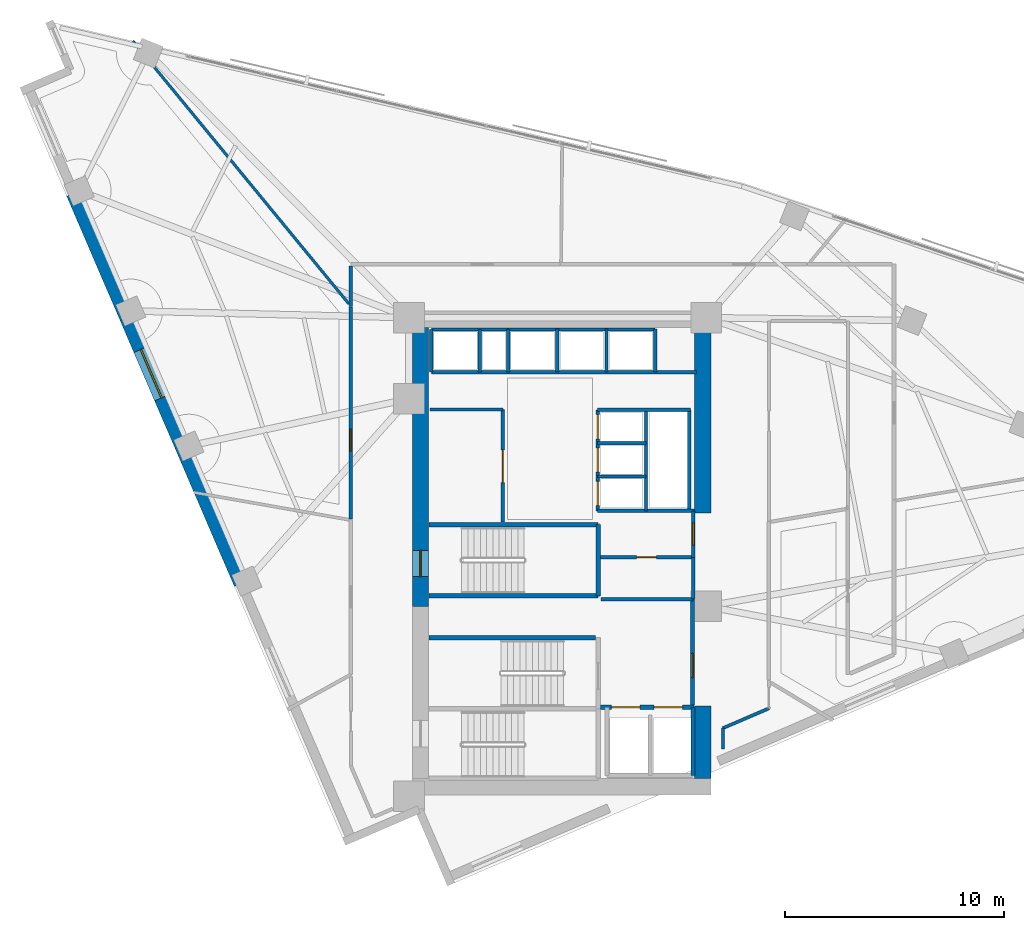
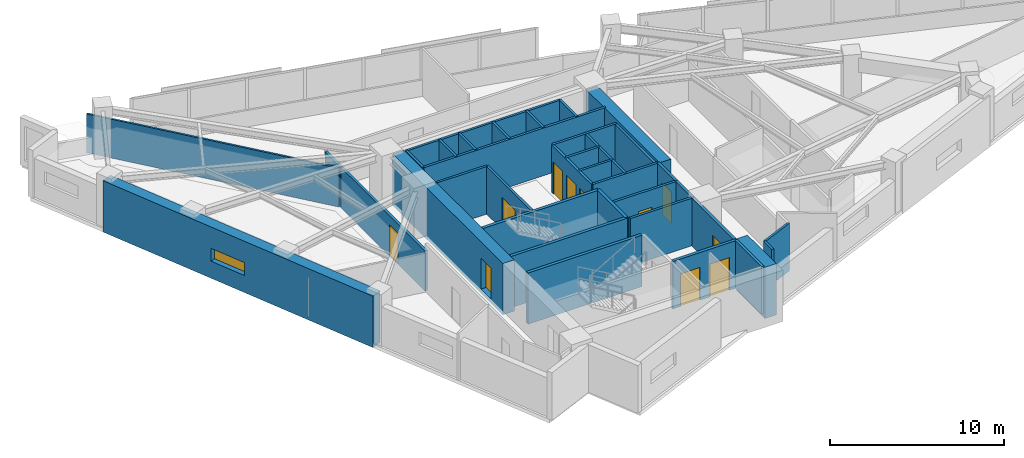
# One storey, part 9 of 14: 38 walls, 11 doors, 1 window, 12 openings.
"""IFC4 building model written with IfcOpenShell, lengths in metres."""

from ifc_helpers import new_model, si_unit, direction, frame, frame_2d, origin, place, context, subcontext, project, spatial, rectangle, extrude, material, layer, layer_set, type_object, element, fill, save


model = new_model("IFC4")

# Units and contexts
model_context = context("Model", 3, precision=1e-05, world=origin(), true_north=direction((0.0, 1.0)))
body_context = subcontext(model_context, "Body", "Model", "MODEL_VIEW")
ifc_project = project(units=[si_unit("LENGTHUNIT", "METRE"), si_unit("AREAUNIT", "SQUARE_METRE"), si_unit("VOLUMEUNIT", "CUBIC_METRE"), si_unit("PLANEANGLEUNIT", "RADIAN"), si_unit("MASSUNIT", "GRAM", prefix="KILO")], contexts=[model_context])

# Site, building, storey
site_placement = place(None, origin())
site = spatial("IfcSite", under=ifc_project, at=site_placement, CompositionType="ELEMENT")
building_placement = place(site_placement, origin())
building = spatial("IfcBuilding", under=site, at=building_placement, Name="Narakoshi Arena Tower", CompositionType="ELEMENT")
storey_placement = place(building_placement, frame((0.0, 0.0, 168.300048828125)))
storey = spatial("IfcBuildingStorey", under=building, at=storey_placement, Name="L45", CompositionType="ELEMENT", Elevation=168.300048828125)

# Wall
ifc_material_1 = material(Name="Concrete C50/60", Category="concrete")
ifc_layer_1 = layer(ifc_material_1, 0.75)
ifc_layer_set_1 = layer_set([ifc_layer_1], Name="Concrete C50/60")
wall_type_1 = type_object("IfcWallType", Name="WL-CORE-750", PredefinedType="SHEAR", material=ifc_layer_set_1)
wall_1_placement = place(storey_placement, frame((85.375, 35.5, -0.260009765625), z_axis=(0.0, 0.0, 1.0), x_axis=(0.0, 1.0, 0.0)))
element("IfcWall", 1, at=wall_1_placement, inside=storey, type_object=wall_type_1, Name="L45 Central Core Shear Wall CW-APX-E", PredefinedType="SHEAR", context=body_context, shape_type="SweptSolid", body=[
    extrude(rectangle(XDim=3.300048828125, YDim=0.75, at=frame_2d((1.64990234375, 0.0))), origin(), (0.0, 0.0, 1.0), 3.599853515625),
])

# Wall, opening, door
wall_2_placement = place(storey_placement, frame((72.52490234375, 43.35009765625, -0.260009765625), z_axis=(0.0, 0.0, 1.0), x_axis=(0.0, 1.0, 0.0)))
wall_2 = element("IfcWall", 2, at=wall_2_placement, inside=storey, type_object=wall_type_1, Name="L45 Main Core Shear Wall CW-MN-W", PredefinedType="SHEAR", context=body_context, shape_type="SweptSolid", body=[
    extrude(rectangle(XDim=12.699951171875, YDim=0.75, at=frame_2d((6.35009765625, 0.0))), origin(), (0.0, 0.0, 1.0), 3.599853515625),
])
opening_1_placement = place(wall_2_placement, frame((1.35009765625, 0.0, 0.260009765625)))
opening_1 = element("IfcOpeningElement", 3, at=opening_1_placement, cuts=wall_2, Name="Opening D-03", PredefinedType="OPENING", context=body_context, shape_type="SweptSolid", body=[
    extrude(rectangle(XDim=1.199951171875, YDim=2.199951171875, at=frame_2d((0.60009765625, 1.10009765625))), frame((0.0, 0.385009765625, 0.0), z_axis=(0.0, -1.0, 0.0), x_axis=(1.0, 0.0, 0.0)), (0.0, 0.0, 1.0), 0.77001953125),
])
ifc_material_2 = material(Name="Painted galvanized steel", Category="steel")
door_type_1 = type_object("IfcDoorType", Name="DR-STR-1200", OperationType="NOTDEFINED", PredefinedType="USERDEFINED", material=ifc_material_2)
door_1_placement = place(opening_1_placement, frame((1.199951171875, 0.0, 0.0), z_axis=(0.0, 0.0, 1.0), x_axis=(-1.0, 0.0, 0.0)))
door_1 = element("IfcDoor", 4, at=door_1_placement, inside=storey, type_object=door_type_1, Name="DR-L45-006", ObjectType="EXITDOOR", OperationType="SINGLE_SWING_LEFT", OverallHeight=2.199951171875, OverallWidth=1.199951171875, PredefinedType="USERDEFINED", context=body_context, shape_type="SweptSolid", body=[
    extrude(rectangle(XDim=1.199951171875, YDim=2.199951171875, at=frame_2d((0.60009765625, 1.10009765625))), frame((0.0, 0.02490234375, 0.0), z_axis=(0.0, -1.0, 0.0), x_axis=(1.0, 0.0, 0.0)), (0.0, 0.0, 1.0), 0.050048828125),
])
fill(opening_1, door_1)

# Wall
wall_3_placement = place(storey_placement, frame((85.375, 47.60009765625, -0.260009765625), z_axis=(0.0, 0.0, 1.0), x_axis=(0.0, 1.0, 0.0)))
element("IfcWall", 5, at=wall_3_placement, inside=storey, type_object=wall_type_1, Name="L45 Main Core Shear Wall CW-MN-E", PredefinedType="SHEAR", context=body_context, shape_type="SweptSolid", body=[
    extrude(rectangle(XDim=8.449951171875, YDim=0.75, at=frame_2d((4.22509765625, 0.0))), origin(), (0.0, 0.0, 1.0), 3.599853515625),
])

# Wall, opening, door
ifc_material_3 = material(Name="Gypsum plasterboard fire-rated partition")
ifc_layer_2 = layer(ifc_material_3, 0.1650390625)
ifc_layer_set_2 = layer_set([ifc_layer_2], Name="Gypsum plasterboard fire-rated partition")
wall_type_2 = type_object("IfcWallType", Name="WL-CORR-165", PredefinedType="PARTITIONING", material=ifc_layer_set_2)
wall_4_placement = place(storey_placement, frame((84.949951171875, 45.580078125, 0.0), z_axis=(0.0, 0.0, 1.0), x_axis=(0.0, 1.0, 0.0)))
wall_4 = element("IfcWall", 6, at=wall_4_placement, inside=storey, type_object=wall_type_2, Name="L45 Core Wall CPAS-E", PredefinedType="PARTITIONING", context=body_context, shape_type="SweptSolid", body=[
    extrude(rectangle(XDim=2.119873046875, YDim=0.1650390625, at=frame_2d((1.06005859375, 0.0))), origin(), (0.0, 0.0, 1.0), 3.33984375),
])
opening_2_placement = place(wall_4_placement, frame((0.56005859375, 0.0, 0.0)))
opening_2 = element("IfcOpeningElement", 7, at=opening_2_placement, cuts=wall_4, Name="Opening D-06", PredefinedType="OPENING", context=body_context, shape_type="SweptSolid", body=[
    extrude(rectangle(XDim=1.0, YDim=2.199951171875, at=frame_2d((0.5, 1.10009765625))), frame((0.0, 0.092529296875, 0.0), z_axis=(0.0, -1.0, 0.0), x_axis=(1.0, 0.0, 0.0)), (0.0, 0.0, 1.0), 0.18505859375),
])
ifc_material_4 = material(Name="Stained oak solid-core timber", Category="wood")
door_type_2 = type_object("IfcDoorType", Name="DR-OFF-1000", OperationType="NOTDEFINED", PredefinedType="DOOR", material=ifc_material_4)
door_2_placement = place(opening_2_placement, frame((1.0, 0.0, 0.0), z_axis=(0.0, 0.0, 1.0), x_axis=(-1.0, 0.0, 0.0)))
door_2 = element("IfcDoor", 8, at=door_2_placement, inside=storey, type_object=door_type_2, Name="DR-L45-007", OperationType="SINGLE_SWING_LEFT", OverallHeight=2.199951171875, OverallWidth=1.0, PredefinedType="DOOR", context=body_context, shape_type="SweptSolid", body=[
    extrude(rectangle(XDim=1.0, YDim=2.199951171875, at=frame_2d((0.5, 1.10009765625))), frame((0.0, 0.02490234375, 0.0), z_axis=(0.0, -1.0, 0.0), x_axis=(1.0, 0.0, 0.0)), (0.0, 0.0, 1.0), 0.050048828125),
])
fill(opening_2, door_2)

# Wall
wall_5_placement = place(storey_placement, frame((69.353759765625, 58.842529296875, 0.0), z_axis=(0.0, 0.0, 1.0), x_axis=(0.0, -1.0, 0.0)))
element("IfcWall", 9, at=wall_5_placement, inside=storey, type_object=wall_type_2, Name="L45 Corridor Partition 08-2", PredefinedType="PARTITIONING", context=body_context, shape_type="SweptSolid", body=[
    extrude(rectangle(XDim=1.825439453125, YDim=0.1650390625, at=frame_2d((0.91259765625, 0.0))), origin(), (0.0, 0.0, 1.0), 2.824951171875),
])

# Wall, opening, door
wall_6_placement = place(storey_placement, frame((69.353759765625, 56.9794921875, 0.0), z_axis=(0.0, 0.0, 1.0), x_axis=(0.0, -1.0, 0.0)))
wall_6 = element("IfcWall", 10, at=wall_6_placement, inside=storey, type_object=wall_type_2, Name="L45 Corridor Partition 09-1", PredefinedType="PARTITIONING", context=body_context, shape_type="SweptSolid", body=[
    extrude(rectangle(XDim=9.64208984375, YDim=0.1650390625, at=frame_2d((4.821044921875, 0.0))), origin(), (0.0, 0.0, 1.0), 2.824951171875),
])
opening_3_placement = place(wall_6_placement, frame((5.557373046875, 0.0, 0.0)))
opening_3 = element("IfcOpeningElement", 11, at=opening_3_placement, cuts=wall_6, Name="Opening D-06", PredefinedType="OPENING", context=body_context, shape_type="SweptSolid", body=[
    extrude(rectangle(XDim=1.0, YDim=2.199951171875, at=frame_2d((0.5, 1.10009765625))), frame((0.0, 0.092529296875, 0.0), z_axis=(0.0, -1.0, 0.0), x_axis=(1.0, 0.0, 0.0)), (0.0, 0.0, 1.0), 0.18505859375),
])
door_3_placement = place(opening_3_placement, frame((1.0, 0.0, 0.0), z_axis=(0.0, 0.0, 1.0), x_axis=(-1.0, 0.0, 0.0)))
door_3 = element("IfcDoor", 12, at=door_3_placement, inside=storey, type_object=door_type_2, Name="DR-L45-021", OperationType="SINGLE_SWING_LEFT", OverallHeight=2.199951171875, OverallWidth=1.0, PredefinedType="DOOR", context=body_context, shape_type="SweptSolid", body=[
    extrude(rectangle(XDim=1.0, YDim=2.199951171875, at=frame_2d((0.5, 1.10009765625))), frame((0.0, 0.02490234375, 0.0), z_axis=(0.0, -1.0, 0.0), x_axis=(1.0, 0.0, 0.0)), (0.0, 0.0, 1.0), 0.050048828125),
])
fill(opening_3, door_3)

# Wall, opening, window
ifc_material_5 = material(Name="Concrete C60/75", Category="concrete")
ifc_layer_3 = layer(ifc_material_5, 0.699951171875)
ifc_layer_set_3 = layer_set([ifc_layer_3], Name="Concrete C60/75")
wall_type_3 = type_object("IfcWallType", Name="WL-LEG-700", PredefinedType="SHEAR", material=ifc_layer_set_3)
wall_7_placement = place(storey_placement, frame((56.7275390625, 62.171875, -0.260009765625), z_axis=(0.0, 0.0, 1.0), x_axis=(0.394736752992, -0.918794261974, 0.0)))
wall_7 = element("IfcWall", 13, at=wall_7_placement, inside=storey, type_object=wall_type_3, Name="L45 Architectural Concrete Structural Wall LEGB-2", PredefinedType="SHEAR", context=body_context, shape_type="SweptSolid", body=[
    extrude(rectangle(XDim=19.3525390625, YDim=0.699951171875, at=frame_2d((9.67626953125, 0.0))), origin(), (0.0, 0.0, 1.0), 3.599853515625),
])
opening_4_placement = place(wall_7_placement, frame((7.747314453125, 0.0, 1.199951171875)))
opening_4 = element("IfcOpeningElement", 14, at=opening_4_placement, cuts=wall_7, Name="Opening WN-01", PredefinedType="OPENING", context=body_context, shape_type="SweptSolid", body=[
    extrude(rectangle(XDim=2.39990234375, YDim=0.89990234375, at=frame_2d((1.199951171875, 0.449951171875))), frame((0.0, 0.35986328125, 0.0), z_axis=(0.0, -1.0, 0.0), x_axis=(1.0, 0.0, 0.0)), (0.0, 0.0, 1.0), 0.719970703125),
])
ifc_material_6 = material(Name="Bronze-tinted low-E laminated glass", Category="glass")
window_type = type_object("IfcWindowType", Name="WIN-SLT-24x09", PartitioningType="SINGLE_PANEL", PredefinedType="WINDOW", material=ifc_material_6)
window_placement = place(opening_4_placement, origin())
window = element("IfcWindow", 15, at=window_placement, inside=storey, type_object=window_type, Name="L45 LEGB2 Horizontal Slot Window 1", OverallHeight=0.89990234375, OverallWidth=2.39990234375, PartitioningType="SINGLE_PANEL", PredefinedType="WINDOW", context=body_context, shape_type="SweptSolid", body=[
    extrude(rectangle(XDim=2.39990234375, YDim=0.89990234375, at=frame_2d((1.199951171875, 0.449951171875))), frame((0.0, 0.030029296875, 0.0), z_axis=(0.0, -1.0, 0.0), x_axis=(1.0, 0.0, 0.0)), (0.0, 0.0, 1.0), 0.06005859375),
])
fill(opening_4, window)

# Walls
ifc_layer_4 = layer(ifc_material_3, 0.125)
ifc_layer_set_4 = layer_set([ifc_layer_4], Name="Gypsum plasterboard fire-rated partition")
wall_type_4 = type_object("IfcWallType", Name="WL-PART-125", PredefinedType="PARTITIONING", material=ifc_layer_set_4)
wall_8_placement = place(storey_placement, frame((69.25927734375, 57.132080078125, 0.0), z_axis=(0.0, 0.0, 1.0), x_axis=(-0.634968166621, 0.77253830156, 0.0)))
element("IfcWall", 16, at=wall_8_placement, inside=storey, type_object=wall_type_4, Name="L45 Inter-Room Partition 08-09", PredefinedType="PARTITIONING", context=body_context, shape_type="SweptSolid", body=[
    extrude(rectangle(XDim=15.498046875, YDim=0.125, at=frame_2d((7.7490234375, 0.0))), origin(), (0.0, 0.0, 1.0), 2.724853515625),
])
ifc_material_7 = material(Name="Concrete C40/50", Category="concrete")
ifc_layer_5 = layer(ifc_material_7, 0.280029296875)
ifc_layer_set_5 = layer_set([ifc_layer_5], Name="Concrete C40/50")
wall_type_5 = type_object("IfcWallType", Name="WL-RISER-280", PredefinedType="PLUMBINGWALL", material=ifc_layer_set_5)
wall_9_placement = place(storey_placement, frame((84.949951171875, 43.679931640625, 0.0), z_axis=(0.0, 0.0, 1.0), x_axis=(0.0, 1.0, 0.0)))
element("IfcWall", 17, at=wall_9_placement, inside=storey, type_object=wall_type_5, Name="L45 Core Wall RSR-E", PredefinedType="PLUMBINGWALL", context=body_context, shape_type="SweptSolid", body=[
    extrude(rectangle(XDim=1.900146484375, YDim=0.1650390625, at=frame_2d((0.9501953125, 0.0))), origin(), (0.0, 0.0, 1.0), 3.33984375),
])

# Wall, opening, door
wall_10_placement = place(storey_placement, frame((80.719970703125, 45.580078125, 0.0), z_axis=(0.0, 0.0, 1.0), x_axis=(1.0, 0.0, 0.0)))
wall_10 = element("IfcWall", 18, at=wall_10_placement, inside=storey, type_object=wall_type_5, Name="L45 Core Wall RSR-N", PredefinedType="PLUMBINGWALL", context=body_context, shape_type="SweptSolid", body=[
    extrude(rectangle(XDim=4.22998046875, YDim=0.159912109375, at=frame_2d((2.114990234375, 0.0))), origin(), (0.0, 0.0, 1.0), 3.33984375),
])
opening_5_placement = place(wall_10_placement, frame((1.64990234375, 0.0, 0.0)))
opening_5 = element("IfcOpeningElement", 19, at=opening_5_placement, cuts=wall_10, Name="Opening D-08", PredefinedType="OPENING", context=body_context, shape_type="SweptSolid", body=[
    extrude(rectangle(XDim=0.89990234375, YDim=2.10009765625, at=frame_2d((0.449951171875, 1.050048828125))), frame((0.0, 0.08984375, 0.0), z_axis=(0.0, -1.0, 0.0), x_axis=(1.0, 0.0, 0.0)), (0.0, 0.0, 1.0), 0.179931640625),
])
ifc_material_8 = material(Name="Moisture-resistant laminate timber", Category="wood")
door_type_3 = type_object("IfcDoorType", Name="DR-WC-900", OperationType="NOTDEFINED", PredefinedType="DOOR", material=ifc_material_8)
door_4_placement = place(opening_5_placement, frame((0.89990234375, 0.0, 0.0), z_axis=(0.0, 0.0, 1.0), x_axis=(-1.0, 0.0, 0.0)))
door_4 = element("IfcDoor", 20, at=door_4_placement, inside=storey, type_object=door_type_3, Name="DR-L45-008", OperationType="SINGLE_SWING_LEFT", OverallHeight=2.10009765625, OverallWidth=0.89990234375, PredefinedType="DOOR", context=body_context, shape_type="SweptSolid", body=[
    extrude(rectangle(XDim=0.89990234375, YDim=2.10009765625, at=frame_2d((0.449951171875, 1.050048828125))), frame((0.0, 0.02490234375, 0.0), z_axis=(0.0, -1.0, 0.0), x_axis=(1.0, 0.0, 0.0)), (0.0, 0.0, 1.0), 0.050048828125),
])
fill(opening_5, door_4)

# Walls
wall_11_placement = place(storey_placement, frame((80.760009765625, 43.679931640625, 0.0), z_axis=(0.0, 0.0, 1.0), x_axis=(1.0, 0.0, 0.0)))
element("IfcWall", 21, at=wall_11_placement, inside=storey, type_object=wall_type_5, Name="L45 Core Wall RSR-S", PredefinedType="PLUMBINGWALL", context=body_context, shape_type="SweptSolid", body=[
    extrude(rectangle(XDim=4.18994140625, YDim=0.159912109375, at=frame_2d((2.094970703125, 0.0))), origin(), (0.0, 0.0, 1.0), 3.33984375),
])
for number, where, z_axis, x_axis, name in (
    (22, (80.60009765625, 49.260009765625, 0.0), (0.0, 0.0, 1.0), (1.0, 0.0, 0.0), "L45 Core Wall MR-D1"),
    (23, (80.60009765625, 50.780029296875, 0.0), (0.0, 0.0, 1.0), (1.0, 0.0, 0.0), "L45 Core Wall MR-D2"),
):
    element("IfcWall", number, at=place(storey_placement, frame(where, z_axis=z_axis, x_axis=x_axis)), inside=storey, type_object=wall_type_5, Name=name, PredefinedType="PLUMBINGWALL", context=body_context, shape_type="SweptSolid", body=[
        extrude(rectangle(XDim=2.199951171875, YDim=0.14990234375, at=frame_2d((1.10009765625, 0.0))), origin(), (0.0, 0.0, 1.0), 3.33984375),
    ])
wall_12_placement = place(storey_placement, frame((82.800048828125, 47.699951171875, 0.0), z_axis=(0.0, 0.0, 1.0), x_axis=(0.0, 1.0, 0.0)))
element("IfcWall", 24, at=wall_12_placement, inside=storey, type_object=wall_type_5, Name="L45 Core Wall MR-E", PredefinedType="PLUMBINGWALL", context=body_context, shape_type="SweptSolid", body=[
    extrude(rectangle(XDim=4.60009765625, YDim=0.14990234375, at=frame_2d((2.300048828125, 0.0))), origin(), (0.0, 0.0, 1.0), 3.33984375),
])
for number, where, z_axis, x_axis, name in (
    (25, (73.02001953125, 54.02001953125, 0.0), (0.0, 0.0, 1.0), (0.0, 1.0, 0.0), "L45 Core Wall OBS-W"),
    (26, (75.219970703125, 54.02001953125, 0.0), (0.0, 0.0, 1.0), (0.0, 1.0, 0.0), "L45 Core Wall OBS-M"),
):
    element("IfcWall", number, at=place(storey_placement, frame(where, z_axis=z_axis, x_axis=x_axis)), inside=storey, type_object=wall_type_5, Name=name, PredefinedType="PLUMBINGWALL", context=body_context, shape_type="SweptSolid", body=[
        extrude(rectangle(XDim=1.93994140625, YDim=0.14990234375, at=frame_2d((0.969970703125, 0.0))), origin(), (0.0, 0.0, 1.0), 3.33984375),
    ])
for number, where, z_axis, x_axis, name in (
    (27, (78.75, 54.02001953125, 0.0), (0.0, 0.0, 1.0), (0.0, 1.0, 0.0), "L45 Core Wall HR-D1"),
    (28, (81.0, 54.02001953125, 0.0), (0.0, 0.0, 1.0), (0.0, 1.0, 0.0), "L45 Core Wall HR-D2"),
):
    element("IfcWall", number, at=place(storey_placement, frame(where, z_axis=z_axis, x_axis=x_axis)), inside=storey, type_object=wall_type_5, Name=name, PredefinedType="PLUMBINGWALL", context=body_context, shape_type="SweptSolid", body=[
        extrude(rectangle(XDim=1.9599609375, YDim=0.14990234375, at=frame_2d((0.97998046875, 0.0))), origin(), (0.0, 0.0, 1.0), 3.33984375),
    ])

# Wall, openings, doors
ifc_layer_6 = layer(ifc_material_1, 0.35009765625)
ifc_layer_set_6 = layer_set([ifc_layer_6], Name="Concrete C50/60")
wall_type_6 = type_object("IfcWallType", Name="WL-SHAFT-350", PredefinedType="SOLIDWALL", material=ifc_layer_set_6)
wall_13_placement = place(storey_placement, frame((80.719970703125, 38.75, 0.0), z_axis=(0.0, 0.0, 1.0), x_axis=(1.0, 0.0, 0.0)))
wall_13 = element("IfcWall", 29, at=wall_13_placement, inside=storey, type_object=wall_type_6, Name="L45 Core Wall FF-N", PredefinedType="SOLIDWALL", context=body_context, shape_type="SweptSolid", body=[
    extrude(rectangle(XDim=4.260009765625, YDim=0.199951171875, at=frame_2d((2.1298828125, 0.0))), origin(), (0.0, 0.0, 1.0), 3.33984375),
])
opening_6_placement = place(wall_13_placement, frame((0.5, 0.0, 0.0)))
opening_6 = element("IfcOpeningElement", 30, at=opening_6_placement, cuts=wall_13, Name="Opening LD-02", PredefinedType="OPENING", context=body_context, shape_type="SweptSolid", body=[
    extrude(rectangle(XDim=1.300048828125, YDim=2.300048828125, at=frame_2d((0.64990234375, 1.14990234375))), frame((0.0, 0.10986328125, 0.0), z_axis=(0.0, -1.0, 0.0), x_axis=(1.0, 0.0, 0.0)), (0.0, 0.0, 1.0), 0.219970703125),
])
opening_7_placement = place(wall_13_placement, frame((2.449951171875, 0.0, 0.0)))
opening_7 = element("IfcOpeningElement", 31, at=opening_7_placement, cuts=wall_13, Name="Opening LD-02", PredefinedType="OPENING", context=body_context, shape_type="SweptSolid", body=[
    extrude(rectangle(XDim=1.300048828125, YDim=2.300048828125, at=frame_2d((0.64990234375, 1.14990234375))), frame((0.0, 0.10986328125, 0.0), z_axis=(0.0, -1.0, 0.0), x_axis=(1.0, 0.0, 0.0)), (0.0, 0.0, 1.0), 0.219970703125),
])
ifc_material_9 = material(Name="Brushed bronze stainless steel", Category="steel")
door_type_4 = type_object("IfcDoorType", Name="DR-LFT-1300", OperationType="DOUBLE_DOOR_SLIDING", PredefinedType="DOOR", material=ifc_material_9)
door_5_placement = place(opening_6_placement, origin())
door_5 = element("IfcDoor", 32, at=door_5_placement, inside=storey, type_object=door_type_4, Name="DR-L45-003", OperationType="DOUBLE_DOOR_SLIDING", OverallHeight=2.300048828125, OverallWidth=1.300048828125, PredefinedType="DOOR", context=body_context, shape_type="SweptSolid", body=[
    extrude(rectangle(XDim=1.300048828125, YDim=2.300048828125, at=frame_2d((0.64990234375, 1.14990234375))), frame((0.0, 0.02490234375, 0.0), z_axis=(0.0, -1.0, 0.0), x_axis=(1.0, 0.0, 0.0)), (0.0, 0.0, 1.0), 0.050048828125),
])
fill(opening_6, door_5)
door_6_placement = place(opening_7_placement, origin())
door_6 = element("IfcDoor", 33, at=door_6_placement, inside=storey, type_object=door_type_4, Name="DR-L45-004", OperationType="DOUBLE_DOOR_SLIDING", OverallHeight=2.300048828125, OverallWidth=1.300048828125, PredefinedType="DOOR", context=body_context, shape_type="SweptSolid", body=[
    extrude(rectangle(XDim=1.300048828125, YDim=2.300048828125, at=frame_2d((0.64990234375, 1.14990234375))), frame((0.0, 0.02490234375, 0.0), z_axis=(0.0, -1.0, 0.0), x_axis=(1.0, 0.0, 0.0)), (0.0, 0.0, 1.0), 0.050048828125),
])
fill(opening_7, door_6)

# Wall
wall_14_placement = place(storey_placement, frame((84.949951171875, 35.64990234375, 0.0), z_axis=(0.0, 0.0, 1.0), x_axis=(0.0, 1.0, 0.0)))
element("IfcWall", 34, at=wall_14_placement, inside=storey, type_object=wall_type_6, Name="L45 Core Wall FF-E", PredefinedType="SOLIDWALL", context=body_context, shape_type="SweptSolid", body=[
    extrude(rectangle(XDim=3.10009765625, YDim=0.179931640625, at=frame_2d((1.550048828125, 0.0))), origin(), (0.0, 0.0, 1.0), 3.33984375),
])

# Wall, opening, door
wall_15_placement = place(storey_placement, frame((84.919921875, 38.85009765625, 0.0), z_axis=(0.0, 0.0, 1.0), x_axis=(0.0, 1.0, 0.0)))
wall_15 = element("IfcWall", 35, at=wall_15_placement, inside=storey, type_object=wall_type_6, Name="L45 Core Wall FFLOB-E", PredefinedType="SOLIDWALL", context=body_context, shape_type="SweptSolid", body=[
    extrude(rectangle(XDim=4.829833984375, YDim=0.199951171875, at=frame_2d((2.4150390625, 0.0))), origin(), (0.0, 0.0, 1.0), 3.33984375),
])
opening_8_placement = place(wall_15_placement, frame((1.25, 0.0, 0.0)))
opening_8 = element("IfcOpeningElement", 36, at=opening_8_placement, cuts=wall_15, Name="Opening D-04", PredefinedType="OPENING", context=body_context, shape_type="SweptSolid", body=[
    extrude(rectangle(XDim=1.10009765625, YDim=2.199951171875, at=frame_2d((0.550048828125, 1.10009765625))), frame((0.0, 0.10986328125, 0.0), z_axis=(0.0, -1.0, 0.0), x_axis=(1.0, 0.0, 0.0)), (0.0, 0.0, 1.0), 0.219970703125),
])
door_type_5 = type_object("IfcDoorType", Name="DR-FFL-1100", OperationType="NOTDEFINED", PredefinedType="DOOR", material=ifc_material_2)
door_7_placement = place(opening_8_placement, frame((1.10009765625, 0.0, 0.0), z_axis=(0.0, 0.0, 1.0), x_axis=(-1.0, 0.0, 0.0)))
door_7 = element("IfcDoor", 37, at=door_7_placement, inside=storey, type_object=door_type_5, Name="DR-L45-005", OperationType="SINGLE_SWING_RIGHT", OverallHeight=2.199951171875, OverallWidth=1.10009765625, PredefinedType="DOOR", context=body_context, shape_type="SweptSolid", body=[
    extrude(rectangle(XDim=1.10009765625, YDim=2.199951171875, at=frame_2d((0.550048828125, 1.10009765625))), frame((0.0, 0.02490234375, 0.0), z_axis=(0.0, -1.0, 0.0), x_axis=(1.0, 0.0, 0.0)), (0.0, 0.0, 1.0), 0.050048828125),
])
fill(opening_8, door_7)

# Walls
wall_16_placement = place(storey_placement, frame((72.919921875, 41.919921875, -0.260009765625), z_axis=(0.0, 0.0, 1.0), x_axis=(1.0, 0.0, 0.0)))
element("IfcWall", 38, at=wall_16_placement, inside=storey, type_object=wall_type_6, Name="L45 Core Wall ST2-N", PredefinedType="SOLIDWALL", context=body_context, shape_type="SweptSolid", body=[
    extrude(rectangle(XDim=7.580078125, YDim=0.199951171875, at=frame_2d((3.7900390625, 0.0))), origin(), (0.0, 0.0, 1.0), 3.599853515625),
])
for number, where, z_axis, x_axis, name in (
    (39, (72.919921875, 43.830078125, -0.260009765625), (0.0, 0.0, 1.0), (1.0, 0.0, 0.0), "L45 Core Wall ST3-S"),
    (40, (72.919921875, 47.070068359375, -0.260009765625), (0.0, 0.0, 1.0), (1.0, 0.0, 0.0), "L45 Core Wall ST3-N"),
):
    element("IfcWall", number, at=place(storey_placement, frame(where, z_axis=z_axis, x_axis=x_axis)), inside=storey, type_object=wall_type_6, Name=name, PredefinedType="SOLIDWALL", context=body_context, shape_type="SweptSolid", body=[
        extrude(rectangle(XDim=7.7001953125, YDim=0.199951171875, at=frame_2d((3.85009765625, 0.0))), origin(), (0.0, 0.0, 1.0), 3.599853515625),
    ])
wall_17_placement = place(storey_placement, frame((80.6201171875, 43.830078125, -0.260009765625), z_axis=(0.0, 0.0, 1.0), x_axis=(0.0, 1.0, 0.0)))
element("IfcWall", 41, at=wall_17_placement, inside=storey, type_object=wall_type_6, Name="L45 Core Wall ST3-E", PredefinedType="SOLIDWALL", context=body_context, shape_type="SweptSolid", body=[
    extrude(rectangle(XDim=3.239990234375, YDim=0.199951171875, at=frame_2d((1.6201171875, 0.0))), origin(), (0.0, 0.0, 1.0), 3.599853515625),
])

# Wall, opening, door
wall_18_placement = place(storey_placement, frame((76.280029296875, 47.179931640625, 0.0), z_axis=(0.0, 0.0, 1.0), x_axis=(0.0, 1.0, 0.0)))
wall_18 = element("IfcWall", 42, at=wall_18_placement, inside=storey, type_object=wall_type_6, Name="L45 Core Wall LR-E", PredefinedType="SOLIDWALL", context=body_context, shape_type="SweptSolid", body=[
    extrude(rectangle(XDim=5.14013671875, YDim=0.159912109375, at=frame_2d((2.570068359375, 0.0))), origin(), (0.0, 0.0, 1.0), 3.33984375),
])
opening_9_placement = place(wall_18_placement, frame((1.800048828125, 0.0, 0.0)))
opening_9 = element("IfcOpeningElement", 43, at=opening_9_placement, cuts=wall_18, Name="Opening D-09", PredefinedType="OPENING", context=body_context, shape_type="SweptSolid", body=[
    extrude(rectangle(XDim=1.5, YDim=2.25, at=frame_2d((0.75, 1.125))), frame((0.0, 0.08984375, 0.0), z_axis=(0.0, -1.0, 0.0), x_axis=(1.0, 0.0, 0.0)), (0.0, 0.0, 1.0), 0.179931640625),
])
door_type_6 = type_object("IfcDoorType", Name="DR-PLT-1500", OperationType="DOUBLE_DOOR_SINGLE_SWING", PredefinedType="DOOR", material=ifc_material_2)
door_8_placement = place(opening_9_placement, frame((1.5, 0.0, 0.0), z_axis=(0.0, 0.0, 1.0), x_axis=(-1.0, 0.0, 0.0)))
door_8 = element("IfcDoor", 44, at=door_8_placement, inside=storey, type_object=door_type_6, Name="DR-L45-009", OperationType="DOUBLE_DOOR_SINGLE_SWING", OverallHeight=2.25, OverallWidth=1.5, PredefinedType="DOOR", context=body_context, shape_type="SweptSolid", body=[
    extrude(rectangle(XDim=1.5, YDim=2.25, at=frame_2d((0.75, 1.125))), frame((0.0, 0.02490234375, 0.0), z_axis=(0.0, -1.0, 0.0), x_axis=(1.0, 0.0, 0.0)), (0.0, 0.0, 1.0), 0.050048828125),
])
fill(opening_9, door_8)

# Wall
wall_19_placement = place(storey_placement, frame((72.949951171875, 52.320068359375, 0.0), z_axis=(0.0, 0.0, 1.0), x_axis=(1.0, 0.0, 0.0)))
element("IfcWall", 45, at=wall_19_placement, inside=storey, type_object=wall_type_6, Name="L45 Core Wall LR-N", PredefinedType="SOLIDWALL", context=body_context, shape_type="SweptSolid", body=[
    extrude(rectangle(XDim=3.330078125, YDim=0.14990234375, at=frame_2d((1.6650390625, 0.0))), origin(), (0.0, 0.0, 1.0), 3.33984375),
])

# Wall, openings, doors
wall_20_placement = place(storey_placement, frame((80.60009765625, 47.699951171875, 0.0), z_axis=(0.0, 0.0, 1.0), x_axis=(0.0, 1.0, 0.0)))
wall_20 = element("IfcWall", 46, at=wall_20_placement, inside=storey, type_object=wall_type_6, Name="L45 Core Wall MR-W", PredefinedType="SOLIDWALL", context=body_context, shape_type="SweptSolid", body=[
    extrude(rectangle(XDim=4.60009765625, YDim=0.159912109375, at=frame_2d((2.300048828125, 0.0))), origin(), (0.0, 0.0, 1.0), 3.33984375),
])
opening_10_placement = place(wall_20_placement, frame((0.239990234375, 0.0, 0.0)))
opening_10 = element("IfcOpeningElement", 47, at=opening_10_placement, cuts=wall_20, Name="Opening LD-01", PredefinedType="OPENING", context=body_context, shape_type="SweptSolid", body=[
    extrude(rectangle(XDim=1.10009765625, YDim=2.25, at=frame_2d((0.550048828125, 1.125))), frame((0.0, 0.08984375, 0.0), z_axis=(0.0, -1.0, 0.0), x_axis=(1.0, 0.0, 0.0)), (0.0, 0.0, 1.0), 0.179931640625),
])
opening_11_placement = place(wall_20_placement, frame((1.760009765625, 0.0, 0.0)))
opening_11 = element("IfcOpeningElement", 48, at=opening_11_placement, cuts=wall_20, Name="Opening LD-01", PredefinedType="OPENING", context=body_context, shape_type="SweptSolid", body=[
    extrude(rectangle(XDim=1.10009765625, YDim=2.25, at=frame_2d((0.550048828125, 1.125))), frame((0.0, 0.08984375, 0.0), z_axis=(0.0, -1.0, 0.0), x_axis=(1.0, 0.0, 0.0)), (0.0, 0.0, 1.0), 0.179931640625),
])
opening_12_placement = place(wall_20_placement, frame((3.280029296875, 0.0, 0.0)))
opening_12 = element("IfcOpeningElement", 49, at=opening_12_placement, cuts=wall_20, Name="Opening LD-01", PredefinedType="OPENING", context=body_context, shape_type="SweptSolid", body=[
    extrude(rectangle(XDim=1.10009765625, YDim=2.25, at=frame_2d((0.550048828125, 1.125))), frame((0.0, 0.08984375, 0.0), z_axis=(0.0, -1.0, 0.0), x_axis=(1.0, 0.0, 0.0)), (0.0, 0.0, 1.0), 0.179931640625),
])
door_type_7 = type_object("IfcDoorType", Name="DR-LFT-1100", OperationType="DOUBLE_DOOR_SLIDING", PredefinedType="DOOR", material=ifc_material_9)
door_9_placement = place(opening_10_placement, frame((1.10009765625, 0.0, 0.0), z_axis=(0.0, 0.0, 1.0), x_axis=(-1.0, 0.0, 0.0)))
door_9 = element("IfcDoor", 50, at=door_9_placement, inside=storey, type_object=door_type_7, Name="DR-L45-010", OperationType="DOUBLE_DOOR_SLIDING", OverallHeight=2.25, OverallWidth=1.10009765625, PredefinedType="DOOR", context=body_context, shape_type="SweptSolid", body=[
    extrude(rectangle(XDim=1.10009765625, YDim=2.25, at=frame_2d((0.550048828125, 1.125))), frame((0.0, 0.02490234375, 0.0), z_axis=(0.0, -1.0, 0.0), x_axis=(1.0, 0.0, 0.0)), (0.0, 0.0, 1.0), 0.050048828125),
])
fill(opening_10, door_9)
door_10_placement = place(opening_11_placement, frame((1.10009765625, 0.0, 0.0), z_axis=(0.0, 0.0, 1.0), x_axis=(-1.0, 0.0, 0.0)))
door_10 = element("IfcDoor", 51, at=door_10_placement, inside=storey, type_object=door_type_7, Name="DR-L45-011", OperationType="DOUBLE_DOOR_SLIDING", OverallHeight=2.25, OverallWidth=1.10009765625, PredefinedType="DOOR", context=body_context, shape_type="SweptSolid", body=[
    extrude(rectangle(XDim=1.10009765625, YDim=2.25, at=frame_2d((0.550048828125, 1.125))), frame((0.0, 0.02490234375, 0.0), z_axis=(0.0, -1.0, 0.0), x_axis=(1.0, 0.0, 0.0)), (0.0, 0.0, 1.0), 0.050048828125),
])
fill(opening_11, door_10)
door_11_placement = place(opening_12_placement, frame((1.10009765625, 0.0, 0.0), z_axis=(0.0, 0.0, 1.0), x_axis=(-1.0, 0.0, 0.0)))
door_11 = element("IfcDoor", 52, at=door_11_placement, inside=storey, type_object=door_type_7, Name="DR-L45-012", OperationType="DOUBLE_DOOR_SLIDING", OverallHeight=2.25, OverallWidth=1.10009765625, PredefinedType="DOOR", context=body_context, shape_type="SweptSolid", body=[
    extrude(rectangle(XDim=1.10009765625, YDim=2.25, at=frame_2d((0.550048828125, 1.125))), frame((0.0, 0.02490234375, 0.0), z_axis=(0.0, -1.0, 0.0), x_axis=(1.0, 0.0, 0.0)), (0.0, 0.0, 1.0), 0.050048828125),
])
fill(opening_12, door_11)

# Walls
wall_21_placement = place(storey_placement, frame((80.60009765625, 47.699951171875, 0.0), z_axis=(0.0, 0.0, 1.0), x_axis=(1.0, 0.0, 0.0)))
element("IfcWall", 53, at=wall_21_placement, inside=storey, type_object=wall_type_6, Name="L45 Core Wall MR-S", PredefinedType="SOLIDWALL", context=body_context, shape_type="SweptSolid", body=[
    extrude(rectangle(XDim=4.39990234375, YDim=0.159912109375, at=frame_2d((2.199951171875, 0.0))), origin(), (0.0, 0.0, 1.0), 3.33984375),
])
wall_22_placement = place(storey_placement, frame((80.60009765625, 52.300048828125, 0.0), z_axis=(0.0, 0.0, 1.0), x_axis=(1.0, 0.0, 0.0)))
element("IfcWall", 54, at=wall_22_placement, inside=storey, type_object=wall_type_6, Name="L45 Core Wall MR-N", PredefinedType="SOLIDWALL", context=body_context, shape_type="SweptSolid", body=[
    extrude(rectangle(XDim=4.219970703125, YDim=0.159912109375, at=frame_2d((2.10986328125, 0.0))), origin(), (0.0, 0.0, 1.0), 3.33984375),
])
wall_23_placement = place(storey_placement, frame((84.780029296875, 47.699951171875, 0.0), z_axis=(0.0, 0.0, 1.0), x_axis=(0.0, 1.0, 0.0)))
element("IfcWall", 55, at=wall_23_placement, inside=storey, type_object=wall_type_6, Name="L45 Core Wall MR-E2", PredefinedType="SOLIDWALL", context=body_context, shape_type="SweptSolid", body=[
    extrude(rectangle(XDim=4.60009765625, YDim=0.159912109375, at=frame_2d((2.300048828125, 0.0))), origin(), (0.0, 0.0, 1.0), 3.33984375),
])
wall_24_placement = place(storey_placement, frame((73.02001953125, 54.02001953125, 0.0), z_axis=(0.0, 0.0, 1.0), x_axis=(1.0, 0.0, 0.0)))
element("IfcWall", 56, at=wall_24_placement, inside=storey, type_object=wall_type_6, Name="L45 Core Wall NSHF-S", PredefinedType="SOLIDWALL", context=body_context, shape_type="SweptSolid", body=[
    extrude(rectangle(XDim=12.080078125, YDim=0.159912109375, at=frame_2d((6.0400390625, 0.0))), origin(), (0.0, 0.0, 1.0), 3.33984375),
])
wall_25_placement = place(storey_placement, frame((73.02001953125, 55.9599609375, 0.0), z_axis=(0.0, 0.0, 1.0), x_axis=(1.0, 0.0, 0.0)))
element("IfcWall", 57, at=wall_25_placement, inside=storey, type_object=wall_type_6, Name="L45 Core Wall OBS-N", PredefinedType="SOLIDWALL", context=body_context, shape_type="SweptSolid", body=[
    extrude(rectangle(XDim=3.5, YDim=0.14990234375, at=frame_2d((1.75, 0.0))), origin(), (0.0, 0.0, 1.0), 3.33984375),
])
wall_26_placement = place(storey_placement, frame((76.52001953125, 54.02001953125, 0.0), z_axis=(0.0, 0.0, 1.0), x_axis=(0.0, 1.0, 0.0)))
element("IfcWall", 58, at=wall_26_placement, inside=storey, type_object=wall_type_6, Name="L45 Core Wall OBS-E", PredefinedType="SOLIDWALL", context=body_context, shape_type="SweptSolid", body=[
    extrude(rectangle(XDim=1.93994140625, YDim=0.14990234375, at=frame_2d((0.969970703125, 0.0))), origin(), (0.0, 0.0, 1.0), 3.33984375),
])
wall_27_placement = place(storey_placement, frame((83.219970703125, 54.02001953125, 0.0), z_axis=(0.0, 0.0, 1.0), x_axis=(0.0, 1.0, 0.0)))
element("IfcWall", 59, at=wall_27_placement, inside=storey, type_object=wall_type_6, Name="L45 Core Wall HR-E", PredefinedType="SOLIDWALL", context=body_context, shape_type="SweptSolid", body=[
    extrude(rectangle(XDim=1.9599609375, YDim=0.14990234375, at=frame_2d((0.97998046875, 0.0))), origin(), (0.0, 0.0, 1.0), 3.33984375),
])
wall_28_placement = place(storey_placement, frame((76.52001953125, 55.9599609375, 0.0), z_axis=(0.0, 0.0, 1.0), x_axis=(1.0, 0.0, 0.0)))
element("IfcWall", 60, at=wall_28_placement, inside=storey, type_object=wall_type_6, Name="L45 Core Wall HR-N", PredefinedType="SOLIDWALL", context=body_context, shape_type="SweptSolid", body=[
    extrude(rectangle(XDim=6.699951171875, YDim=0.14990234375, at=frame_2d((3.35009765625, 0.0))), origin(), (0.0, 0.0, 1.0), 3.33984375),
])
ifc_material_10 = material(Name="Moisture-resistant cement-board partition")
ifc_layer_7 = layer(ifc_material_10, 0.14501953125)
ifc_layer_set_7 = layer_set([ifc_layer_7], Name="Moisture-resistant cement-board partition")
wall_type_7 = type_object("IfcWallType", Name="WL-WET-145", PredefinedType="PARTITIONING", material=ifc_layer_set_7)
wall_29_placement = place(storey_placement, frame((86.300048828125, 37.797119140625, 0.0), z_axis=(0.0, 0.0, 1.0), x_axis=(0.918802105609, 0.39471849555, 0.0)))
element("IfcWall", 61, at=wall_29_placement, inside=storey, type_object=wall_type_7, Name="L45 Corridor Partition 03-1", PredefinedType="PARTITIONING", context=body_context, shape_type="SweptSolid", body=[
    extrude(rectangle(XDim=2.285400390625, YDim=0.14501953125, at=frame_2d((1.142578125, 0.0))), origin(), (0.0, 0.0, 1.0), 3.33984375),
])
wall_30_placement = place(storey_placement, frame((86.300048828125, 36.85009765625, 0.0), z_axis=(0.0, 0.0, 1.0), x_axis=(0.0, 1.0, 0.0)))
element("IfcWall", 62, at=wall_30_placement, inside=storey, type_object=wall_type_7, Name="L45 Room Enclosure Partition 03-1", PredefinedType="PARTITIONING", context=body_context, shape_type="SweptSolid", body=[
    extrude(rectangle(XDim=0.947021484375, YDim=0.14501953125, at=frame_2d((0.4736328125, 0.0))), origin(), (0.0, 0.0, 1.0), 3.33984375),
])

save(model, "model.ifc")
